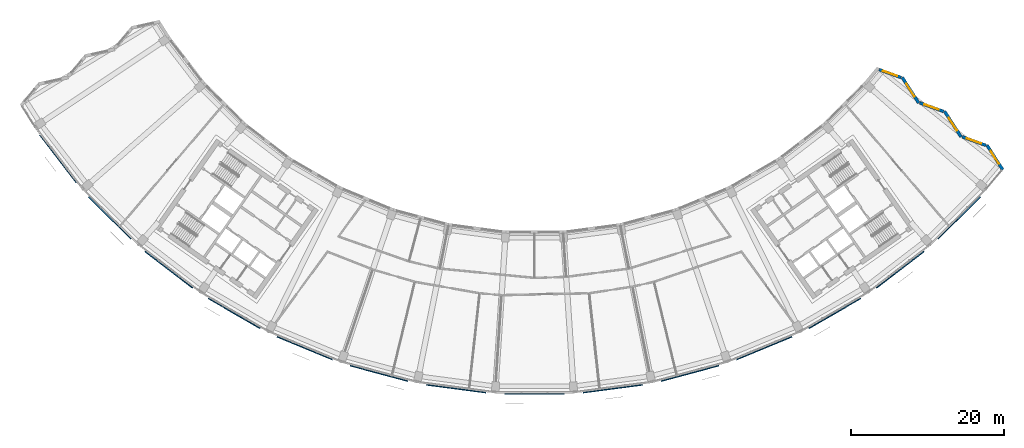
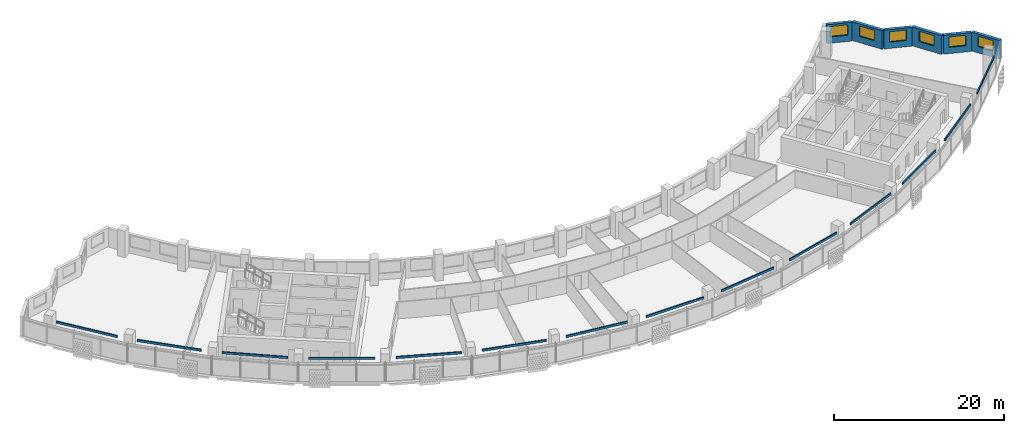
# One storey, part 8 of 28: 14 discrete accessories, 6 walls, 6 windows, 6 openings.
"""IFC4 building model written with IfcOpenShell, lengths in metres."""

import ifcopenshell
import ifcopenshell.guid

model = None  # the IFC model being written
_history = None  # IfcOwnerHistory: only IFC2X3 demands one
_inside = {}  # id of a spatial element -> (the spatial element, [elements in it])
_under = {}  # id of a project, library or spatial element -> (it, [spatial elements below it])
_declared = {}  # id of a project -> (the project, [libraries it declares])
_typed = {}  # id of a type object -> (the type object, [elements of that type])
_made_of = {}  # id of a material, layer set ... -> (it, [elements and type objects made of it])


def new_model(schema):
    """Start an empty IFC model of exactly this schema.

    Asked for "IFC4X3", IfcOpenShell would pick the latest addendum, in which some entities
    have other attributes; the version numbers below select the first issue.
    IFC2X3 requires an IfcOwnerHistory on every rooted entity: one is made here for all.
    """
    global model, _history
    if schema == "IFC4X3":
        model = ifcopenshell.file(schema_version=(4, 3, 0, 0))
    else:
        model = ifcopenshell.file(schema=schema)
    _inside.clear()
    _under.clear()
    _declared.clear()
    _typed.clear()
    _made_of.clear()
    _history = None
    if model.schema == "IFC2X3":
        org = make("IfcOrganization", Name="unknown")
        user = make(
            "IfcPersonAndOrganization",
            ThePerson=make("IfcPerson", FamilyName="unknown"),
            TheOrganization=org,
        )
        app = make(
            "IfcApplication",
            ApplicationDeveloper=org,
            Version="unknown",
            ApplicationFullName="unknown",
            ApplicationIdentifier="unknown",
        )
        _history = make(
            "IfcOwnerHistory",
            OwningUser=user,
            OwningApplication=app,
            ChangeAction="ADDED",
            CreationDate=0,
        )
    return model


def make(cls, **values):
    """One entity of the class cls with the attributes given. An attribute that is None is left unset."""
    return model.create_entity(
        cls, **{name: value for name, value in values.items() if value is not None}
    )


def rooted(cls, **values):
    """An entity with a GlobalId (a new one), such as an element, a storey or a relation."""
    return make(cls, GlobalId=ifcopenshell.guid.new(), OwnerHistory=_history, **values)


def si_unit(unit_type, name, prefix=None):
    """IfcSIUnit, for example si_unit("LENGTHUNIT", "METRE", prefix="MILLI")."""
    return make("IfcSIUnit", UnitType=unit_type, Prefix=prefix, Name=name)


def assignment(units):
    """IfcUnitAssignment: the units of a project."""
    return None if units is None else make("IfcUnitAssignment", Units=units)


def point(xyz):
    """IfcCartesianPoint."""
    return None if xyz is None else make("IfcCartesianPoint", Coordinates=xyz)


def direction(xyz):
    """IfcDirection."""
    return None if xyz is None else make("IfcDirection", DirectionRatios=xyz)


def frame(location, z_axis=None, x_axis=None):
    """IfcAxis2Placement3D, a coordinate frame: its origin and axes. An axis left out is left unset."""
    return make(
        "IfcAxis2Placement3D",
        Location=point(location),
        Axis=direction(z_axis),
        RefDirection=direction(x_axis),
    )


def frame_2d(location, x_axis=None):
    """IfcAxis2Placement2D, a coordinate frame in the plane: its origin and x axis."""
    return make(
        "IfcAxis2Placement2D", Location=point(location), RefDirection=direction(x_axis)
    )


def origin():
    """The frame at (0, 0, 0) with its axes left unset."""
    return frame((0.0, 0.0, 0.0))


def origin_2d():
    """The frame at (0, 0) in the plane with its x axis left unset."""
    return frame_2d((0.0, 0.0))


def place(relative_to, where):
    """IfcLocalPlacement: puts the frame where relative to a parent placement (None: the world)."""
    return make(
        "IfcLocalPlacement", PlacementRelTo=relative_to, RelativePlacement=where
    )


def context(
    kind, dimensions, precision=None, world=None, true_north=None, identifier=None
):
    """IfcGeometricRepresentationContext, for example the 3D "Model" context."""
    return make(
        "IfcGeometricRepresentationContext",
        ContextIdentifier=identifier,
        ContextType=kind,
        CoordinateSpaceDimension=dimensions,
        Precision=precision,
        WorldCoordinateSystem=world,
        TrueNorth=true_north,
    )


def subcontext(parent, identifier, kind, view, scale=None):
    """IfcGeometricRepresentationSubContext, for example "Body" below "Model"."""
    return make(
        "IfcGeometricRepresentationSubContext",
        ContextIdentifier=identifier,
        ContextType=kind,
        ParentContext=parent,
        TargetScale=scale,
        TargetView=view,
    )


def project(units=None, contexts=None):
    """IfcProject with its units and contexts."""
    return rooted(
        "IfcProject",
        Name="project",
        RepresentationContexts=contexts,
        UnitsInContext=assignment(units),
    )


def spatial(cls, under=None, at=None, **own):
    """A site, building, storey or space (cls), placed at a placement, below another one or the project."""
    s = rooted(cls, ObjectPlacement=at, **own)
    if under is not None:
        _under.setdefault(under.id(), (under, []))[1].append(s)
    return s


def profile(cls, at=None, kind="AREA", **sizes):
    """A parametric profile (cls). Its sizes go by their IFC names, for example OverallWidth=200.0."""
    return make(cls, ProfileType=kind, Position=at, **sizes)


def rectangle(**sizes):
    """IfcRectangleProfileDef."""
    return profile("IfcRectangleProfileDef", **sizes)


def extrude(swept, where, along, depth):
    """IfcExtrudedAreaSolid: the profile swept, set in the frame where, extruded along a direction by depth."""
    return make(
        "IfcExtrudedAreaSolid",
        SweptArea=swept,
        Position=where,
        ExtrudedDirection=direction(along),
        Depth=depth,
    )


def shape(context_of_items, identifier, shape_type, items):
    """IfcShapeRepresentation: the items that make up one representation, for example the "Body"."""
    return make(
        "IfcShapeRepresentation",
        ContextOfItems=context_of_items,
        RepresentationIdentifier=identifier,
        RepresentationType=shape_type,
        Items=items,
    )


def material(Name=None, Category=None):
    """IfcMaterial."""
    return make("IfcMaterial", Name=Name, Category=Category)


def layer(
    of_material, thickness, ventilated=None, Name=None, Category=None, Priority=None
):
    """IfcMaterialLayer: one layer of a wall or slab, of a material (None: an air gap)."""
    return make(
        "IfcMaterialLayer",
        Material=of_material,
        LayerThickness=thickness,
        IsVentilated=ventilated,
        Name=Name,
        Category=Category,
        Priority=Priority,
    )


def layer_set(layers, Name=None):
    """IfcMaterialLayerSet."""
    return make("IfcMaterialLayerSet", MaterialLayers=layers, LayerSetName=Name)


def made_of(thing, what):
    """Note that an element or type object is made of a material, layer set ...; save() writes the relation."""
    if what is not None:
        _made_of.setdefault(what.id(), (what, []))[1].append(thing)
    return thing


def type_object(cls, material=None, **own):
    """A type object (cls), such as IfcWallType, which elements share."""
    return made_of(rooted(cls, **own), material)


def element(
    cls,
    number,
    at=None,
    inside=None,
    cuts=None,
    type_object=None,
    material=None,
    context=None,
    identifier="Body",
    shape_type=None,
    held_by="IfcProductDefinitionShape",
    body=None,
    shapes=None,
    **own,
):
    """One element of the class cls, such as IfcWall. Its Tag is "e" and its number.

    at: its placement. inside: the storey or other place that contains it. cuts: it is an
    opening in that element (IfcRelVoidsElement). A single representation is given by context,
    identifier, shape_type and body (its items); several are given by shapes. held_by: the class
    of the entity that holds the representations. save() writes the other relations.
    """
    e = rooted(cls, Tag="e%d" % number, ObjectPlacement=at, **own)
    if body is not None:
        shapes = [shape(context, identifier, shape_type, body)]
    if shapes is not None:
        e.Representation = make(held_by, Representations=shapes)
    if inside is not None:
        _inside.setdefault(inside.id(), (inside, []))[1].append(e)
    if cuts is not None:
        rooted(
            "IfcRelVoidsElement", RelatingBuildingElement=cuts, RelatedOpeningElement=e
        )
    if type_object is not None:
        _typed.setdefault(type_object.id(), (type_object, []))[1].append(e)
    return made_of(e, material)


def fill(opening, filler):
    """IfcRelFillsElement: the door or window that sits in an opening."""
    return rooted(
        "IfcRelFillsElement",
        RelatingOpeningElement=opening,
        RelatedBuildingElement=filler,
    )


def aggregate(whole, parts):
    """IfcRelAggregates: a whole, such as a stair, and the parts it consists of."""
    return rooted("IfcRelAggregates", RelatingObject=whole, RelatedObjects=parts)


def save(model, path):
    """Write the relations noted so far, then the file.

    IfcRelAggregates (storeys below a building ...), IfcRelContainedInSpatialStructure (elements
    in a storey), IfcRelDefinesByType, IfcRelAssociatesMaterial and IfcRelDeclares: one each for
    every whole, place, type object, material and project.
    """
    for whole, parts in _under.values():
        aggregate(whole, parts)
    for where, things in _inside.values():
        rooted(
            "IfcRelContainedInSpatialStructure",
            RelatedElements=things,
            RelatingStructure=where,
        )
    for kind, things in _typed.values():
        rooted("IfcRelDefinesByType", RelatedObjects=things, RelatingType=kind)
    for what, things in _made_of.values():
        rooted("IfcRelAssociatesMaterial", RelatedObjects=things, RelatingMaterial=what)
    for by, libraries in _declared.values():
        rooted("IfcRelDeclares", RelatingContext=by, RelatedDefinitions=libraries)
    model.write(path)


model = new_model("IFC4")

# Units and contexts
model_context = context("Model", 3, precision=1e-05, world=origin(), true_north=direction((0.0, 1.0)))
body_context = subcontext(model_context, "Body", "Model", "MODEL_VIEW")
ifc_project = project(units=[si_unit("LENGTHUNIT", "METRE"), si_unit("AREAUNIT", "SQUARE_METRE"), si_unit("VOLUMEUNIT", "CUBIC_METRE"), si_unit("PLANEANGLEUNIT", "RADIAN"), si_unit("MASSUNIT", "GRAM", prefix="KILO")], contexts=[model_context])

# Site, building, storey
site_placement = place(None, origin())
site = spatial("IfcSite", under=ifc_project, at=site_placement, CompositionType="ELEMENT")
building_placement = place(site_placement, origin())
building = spatial("IfcBuilding", under=site, at=building_placement, Name="Qamariyya Broadcast Tower", CompositionType="ELEMENT")
storey_placement = place(building_placement, frame((0.0, 0.0, 245.5)))
storey = spatial("IfcBuildingStorey", under=building, at=storey_placement, Name="L59", CompositionType="ELEMENT", Elevation=245.5)

# Wall, opening, window
ifc_material_1 = material(Name="Terracotta", Category="masonry")
ifc_layer = layer(ifc_material_1, 0.39990234375)
ifc_layer_set = layer_set([ifc_layer], Name="Terracotta clad wall 400")
wall_type = type_object("IfcWallType", Name="Terracotta clad wall 400", PredefinedType="SOLIDWALL", material=ifc_layer_set)
wall_1_placement = place(storey_placement, frame((61.2470703125, -49.240234375, 0.0), z_axis=(0.0, 0.0, 1.0), x_axis=(-0.540433576205, 0.841386682632, 0.0)))
wall_1 = element("IfcWall", 1, at=wall_1_placement, inside=storey, type_object=wall_type, Name="e-wl-L59-capE0", PredefinedType="SOLIDWALL", context=body_context, shape_type="SweptSolid", body=[
    extrude(rectangle(XDim=3.80859375, YDim=0.39990234375, at=frame_2d((1.904296875, 0.0))), origin(), (0.0, 0.0, 1.0), 2.699951171875),
])
opening_1_placement = place(wall_1_placement, frame((0.904296875, 0.0, 0.89990234375)))
opening_1 = element("IfcOpeningElement", 2, at=opening_1_placement, cuts=wall_1, Name="Opening W4", PredefinedType="OPENING", context=body_context, shape_type="SweptSolid", body=[
    extrude(rectangle(XDim=2.0, YDim=1.5, at=frame_2d((1.0, 0.75))), frame((0.0, 0.2099609375, 0.0), z_axis=(0.0, -1.0, 0.0), x_axis=(1.0, 0.0, 0.0)), (0.0, 0.0, 1.0), 0.419921875),
])
ifc_material_2 = material(Name="Clear low-e double glazed unit in aluminium frame", Category="aluminium")
window_type = type_object("IfcWindowType", Name="Horn bay window 2000 x 1500", PartitioningType="SINGLE_PANEL", PredefinedType="WINDOW", material=ifc_material_2)
window_1_placement = place(opening_1_placement, origin())
window_1 = element("IfcWindow", 3, at=window_1_placement, inside=storey, type_object=window_type, Name="e-w-L59-capE0", OverallHeight=1.5, OverallWidth=2.0, PartitioningType="SINGLE_PANEL", PredefinedType="WINDOW", context=body_context, shape_type="SweptSolid", body=[
    extrude(rectangle(XDim=2.0, YDim=1.5, at=frame_2d((1.0, 0.75))), frame((0.0, 0.030029296875, 0.0), z_axis=(0.0, -1.0, 0.0), x_axis=(1.0, 0.0, 0.0)), (0.0, 0.0, 1.0), 0.06005859375),
])
fill(opening_1, window_1)

wall_2_placement = place(storey_placement, frame((59.05029296875, -46.062744140625, 0.0), z_axis=(0.0, 0.0, 1.0), x_axis=(-0.940062685332, 0.341001682761, 0.0)))
wall_2 = element("IfcWall", 4, at=wall_2_placement, inside=storey, type_object=wall_type, Name="e-wl-L59-capE1", PredefinedType="SOLIDWALL", context=body_context, shape_type="SweptSolid", body=[
    extrude(rectangle(XDim=3.3056640625, YDim=0.39990234375, at=frame_2d((1.65283203125, 0.0))), origin(), (0.0, 0.0, 1.0), 2.699951171875),
])
opening_2_placement = place(wall_2_placement, frame((0.652587890625, 0.0, 0.89990234375)))
opening_2 = element("IfcOpeningElement", 5, at=opening_2_placement, cuts=wall_2, Name="Opening W4", PredefinedType="OPENING", context=body_context, shape_type="SweptSolid", body=[
    extrude(rectangle(XDim=2.0, YDim=1.5, at=frame_2d((1.0, 0.75))), frame((0.0, 0.2099609375, 0.0), z_axis=(0.0, -1.0, 0.0), x_axis=(1.0, 0.0, 0.0)), (0.0, 0.0, 1.0), 0.419921875),
])
window_2_placement = place(opening_2_placement, origin())
window_2 = element("IfcWindow", 6, at=window_2_placement, inside=storey, type_object=window_type, Name="e-w-L59-capE1", OverallHeight=1.5, OverallWidth=2.0, PartitioningType="SINGLE_PANEL", PredefinedType="WINDOW", context=body_context, shape_type="SweptSolid", body=[
    extrude(rectangle(XDim=2.0, YDim=1.5, at=frame_2d((1.0, 0.75))), frame((0.0, 0.030029296875, 0.0), z_axis=(0.0, -1.0, 0.0), x_axis=(1.0, 0.0, 0.0)), (0.0, 0.0, 1.0), 0.06005859375),
])
fill(opening_2, window_2)

wall_3_placement = place(storey_placement, frame((55.804443359375, -44.962890625, 0.0), z_axis=(0.0, 0.0, 1.0), x_axis=(-0.540498279905, 0.841345119092, 0.0)))
wall_3 = element("IfcWall", 7, at=wall_3_placement, inside=storey, type_object=wall_type, Name="e-wl-L59-capE2", PredefinedType="SOLIDWALL", context=body_context, shape_type="SweptSolid", body=[
    extrude(rectangle(XDim=3.99755859375, YDim=0.39990234375, at=frame_2d((1.998779296875, 0.0))), origin(), (0.0, 0.0, 1.0), 2.699951171875),
])
opening_3_placement = place(wall_3_placement, frame((0.998779296875, 0.0, 0.89990234375)))
opening_3 = element("IfcOpeningElement", 8, at=opening_3_placement, cuts=wall_3, Name="Opening W4", PredefinedType="OPENING", context=body_context, shape_type="SweptSolid", body=[
    extrude(rectangle(XDim=2.0, YDim=1.5, at=frame_2d((1.0, 0.75))), frame((0.0, 0.2099609375, 0.0), z_axis=(0.0, -1.0, 0.0), x_axis=(1.0, 0.0, 0.0)), (0.0, 0.0, 1.0), 0.419921875),
])
window_3_placement = place(opening_3_placement, origin())
window_3 = element("IfcWindow", 9, at=window_3_placement, inside=storey, type_object=window_type, Name="e-w-L59-capE2", OverallHeight=1.5, OverallWidth=2.0, PartitioningType="SINGLE_PANEL", PredefinedType="WINDOW", context=body_context, shape_type="SweptSolid", body=[
    extrude(rectangle(XDim=2.0, YDim=1.5, at=frame_2d((1.0, 0.75))), frame((0.0, 0.030029296875, 0.0), z_axis=(0.0, -1.0, 0.0), x_axis=(1.0, 0.0, 0.0)), (0.0, 0.0, 1.0), 0.06005859375),
])
fill(opening_3, window_3)

wall_4_placement = place(storey_placement, frame((53.50537109375, -41.626708984375, 0.0), z_axis=(0.0, 0.0, 1.0), x_axis=(-0.94010795312, 0.340876864102, 0.0)))
wall_4 = element("IfcWall", 10, at=wall_4_placement, inside=storey, type_object=wall_type, Name="e-wl-L59-capE3", PredefinedType="SOLIDWALL", context=body_context, shape_type="SweptSolid", body=[
    extrude(rectangle(XDim=3.3046875, YDim=0.39990234375, at=frame_2d((1.65234375, 0.0))), origin(), (0.0, 0.0, 1.0), 2.699951171875),
])
opening_4_placement = place(wall_4_placement, frame((0.652099609375, 0.0, 0.89990234375)))
opening_4 = element("IfcOpeningElement", 11, at=opening_4_placement, cuts=wall_4, Name="Opening W4", PredefinedType="OPENING", context=body_context, shape_type="SweptSolid", body=[
    extrude(rectangle(XDim=2.0, YDim=1.5, at=frame_2d((1.0, 0.75))), frame((0.0, 0.2099609375, 0.0), z_axis=(0.0, -1.0, 0.0), x_axis=(1.0, 0.0, 0.0)), (0.0, 0.0, 1.0), 0.419921875),
])
window_4_placement = place(opening_4_placement, origin())
window_4 = element("IfcWindow", 12, at=window_4_placement, inside=storey, type_object=window_type, Name="e-w-L59-capE3", OverallHeight=1.5, OverallWidth=2.0, PartitioningType="SINGLE_PANEL", PredefinedType="WINDOW", context=body_context, shape_type="SweptSolid", body=[
    extrude(rectangle(XDim=2.0, YDim=1.5, at=frame_2d((1.0, 0.75))), frame((0.0, 0.030029296875, 0.0), z_axis=(0.0, -1.0, 0.0), x_axis=(1.0, 0.0, 0.0)), (0.0, 0.0, 1.0), 0.06005859375),
])
fill(opening_4, window_4)

wall_5_placement = place(storey_placement, frame((50.26025390625, -40.52734375, 0.0), z_axis=(0.0, 0.0, 1.0), x_axis=(-0.540615627148, 0.841269721126, 0.0)))
wall_5 = element("IfcWall", 13, at=wall_5_placement, inside=storey, type_object=wall_type, Name="e-wl-L59-capE4", PredefinedType="SOLIDWALL", context=body_context, shape_type="SweptSolid", body=[
    extrude(rectangle(XDim=3.99853515625, YDim=0.39990234375, at=frame_2d((1.999267578125, 0.0))), origin(), (0.0, 0.0, 1.0), 2.699951171875),
])
opening_5_placement = place(wall_5_placement, frame((0.999267578125, 0.0, 0.89990234375)))
opening_5 = element("IfcOpeningElement", 14, at=opening_5_placement, cuts=wall_5, Name="Opening W4", PredefinedType="OPENING", context=body_context, shape_type="SweptSolid", body=[
    extrude(rectangle(XDim=2.0, YDim=1.5, at=frame_2d((1.0, 0.75))), frame((0.0, 0.2099609375, 0.0), z_axis=(0.0, -1.0, 0.0), x_axis=(1.0, 0.0, 0.0)), (0.0, 0.0, 1.0), 0.419921875),
])
window_5_placement = place(opening_5_placement, origin())
window_5 = element("IfcWindow", 15, at=window_5_placement, inside=storey, type_object=window_type, Name="e-w-L59-capE4", OverallHeight=1.5, OverallWidth=2.0, PartitioningType="SINGLE_PANEL", PredefinedType="WINDOW", context=body_context, shape_type="SweptSolid", body=[
    extrude(rectangle(XDim=2.0, YDim=1.5, at=frame_2d((1.0, 0.75))), frame((0.0, 0.030029296875, 0.0), z_axis=(0.0, -1.0, 0.0), x_axis=(1.0, 0.0, 0.0)), (0.0, 0.0, 1.0), 0.06005859375),
])
fill(opening_5, window_5)

wall_6_placement = place(storey_placement, frame((47.960205078125, -37.190673828125, 0.0), z_axis=(0.0, 0.0, 1.0), x_axis=(-0.940139898052, 0.340788749947, 0.0)))
wall_6 = element("IfcWall", 16, at=wall_6_placement, inside=storey, type_object=wall_type, Name="e-wl-L59-capE5", PredefinedType="SOLIDWALL", context=body_context, shape_type="SweptSolid", body=[
    extrude(rectangle(XDim=3.061279296875, YDim=0.39990234375, at=frame_2d((1.53076171875, 0.0))), origin(), (0.0, 0.0, 1.0), 2.699951171875),
])
opening_6_placement = place(wall_6_placement, frame((0.530517578125, 0.0, 0.89990234375)))
opening_6 = element("IfcOpeningElement", 17, at=opening_6_placement, cuts=wall_6, Name="Opening W4", PredefinedType="OPENING", context=body_context, shape_type="SweptSolid", body=[
    extrude(rectangle(XDim=2.0, YDim=1.5, at=frame_2d((1.0, 0.75))), frame((0.0, 0.2099609375, 0.0), z_axis=(0.0, -1.0, 0.0), x_axis=(1.0, 0.0, 0.0)), (0.0, 0.0, 1.0), 0.419921875),
])
window_6_placement = place(opening_6_placement, origin())
window_6 = element("IfcWindow", 18, at=window_6_placement, inside=storey, type_object=window_type, Name="e-w-L59-capE5", OverallHeight=1.5, OverallWidth=2.0, PartitioningType="SINGLE_PANEL", PredefinedType="WINDOW", context=body_context, shape_type="SweptSolid", body=[
    extrude(rectangle(XDim=2.0, YDim=1.5, at=frame_2d((1.0, 0.75))), frame((0.0, 0.030029296875, 0.0), z_axis=(0.0, -1.0, 0.0), x_axis=(1.0, 0.0, 0.0)), (0.0, 0.0, 1.0), 0.06005859375),
])
fill(opening_6, window_6)

# Discrete accessories
ifc_material_3 = material(Name="Stainless steel 316", Category="steel")
discrete_accessory_type = type_object("IfcDiscreteAccessoryType", Name="Slab edge fixing angle, stainless steel", PredefinedType="BRACKET", material=ifc_material_3)
for number, where, z_axis, x_axis, name in (
    (19, (-62.3232421875, -47.822265625, 3.2998046875), (0.0, 0.0, 1.0), (0.608761429009, -0.793353340291, 0.0), "e-br-L59-01-0"),
    (20, (-55.5478515625, -55.5478515625, 3.2998046875), (0.0, 0.0, 1.0), (0.707106781187, -0.707106781187, 0.0), "e-br-L59-02-0"),
    (21, (-47.822265625, -62.3232421875, 3.2998046875), (0.0, 0.0, 1.0), (0.793353340291, -0.608761429009, 0.0), "e-br-L59-03-0"),
    (22, (-39.2783203125, -68.031982421875, 3.2998046875), (0.0, 0.0, 1.0), (0.866025403784, -0.5, 0.0), "e-br-L59-04-0"),
    (23, (-30.062255859375, -72.576904296875, 3.2998046875), (0.0, 0.0, 1.0), (0.923879532511, -0.382683432365, 0.0), "e-br-L59-05-0"),
    (24, (-20.33203125, -75.8798828125, 3.2998046875), (0.0, 0.0, 1.0), (0.965925826289, -0.258819045103, 0.0), "e-br-L59-06-0"),
    (25, (-10.253662109375, -77.884521484375, 3.2998046875), (0.0, 0.0, 1.0), (0.991444861374, -0.13052619222, 0.0), "e-br-L59-07-0"),
    (26, (0.0, -78.556640625, 3.2998046875), (0.0, 0.0, 1.0), (1.0, 0.0, 0.0), "e-br-L59-08-0"),
    (27, (10.253662109375, -77.884521484375, 3.2998046875), (0.0, 0.0, 1.0), (0.991444861374, 0.13052619222, 0.0), "e-br-L59-09-0"),
    (28, (20.33203125, -75.8798828125, 3.2998046875), (0.0, 0.0, 1.0), (0.965925826289, 0.258819045103, 0.0), "e-br-L59-10-0"),
    (29, (30.062255859375, -72.576904296875, 3.2998046875), (0.0, 0.0, 1.0), (0.923879532511, 0.382683432365, 0.0), "e-br-L59-11-0"),
    (30, (39.2783203125, -68.031982421875, 3.2998046875), (0.0, 0.0, 1.0), (0.866025403784, 0.5, 0.0), "e-br-L59-12-0"),
    (31, (47.822265625, -62.3232421875, 3.2998046875), (0.0, 0.0, 1.0), (0.793353340291, 0.608761429009, 0.0), "e-br-L59-13-0"),
    (32, (55.5478515625, -55.5478515625, 3.2998046875), (0.0, 0.0, 1.0), (0.707106781187, 0.707106781187, 0.0), "e-br-L59-14-0"),
):
    element("IfcDiscreteAccessory", number, at=place(storey_placement, frame(where, z_axis=z_axis, x_axis=x_axis)), inside=storey, type_object=discrete_accessory_type, Name=name, PredefinedType="BRACKET", context=body_context, shape_type="SweptSolid", body=[
        extrude(rectangle(XDim=7.81591796875, YDim=0.14990234375, at=origin_2d()), origin(), (0.0, 0.0, 1.0), 0.300048828125),
    ])

save(model, "model.ifc")
